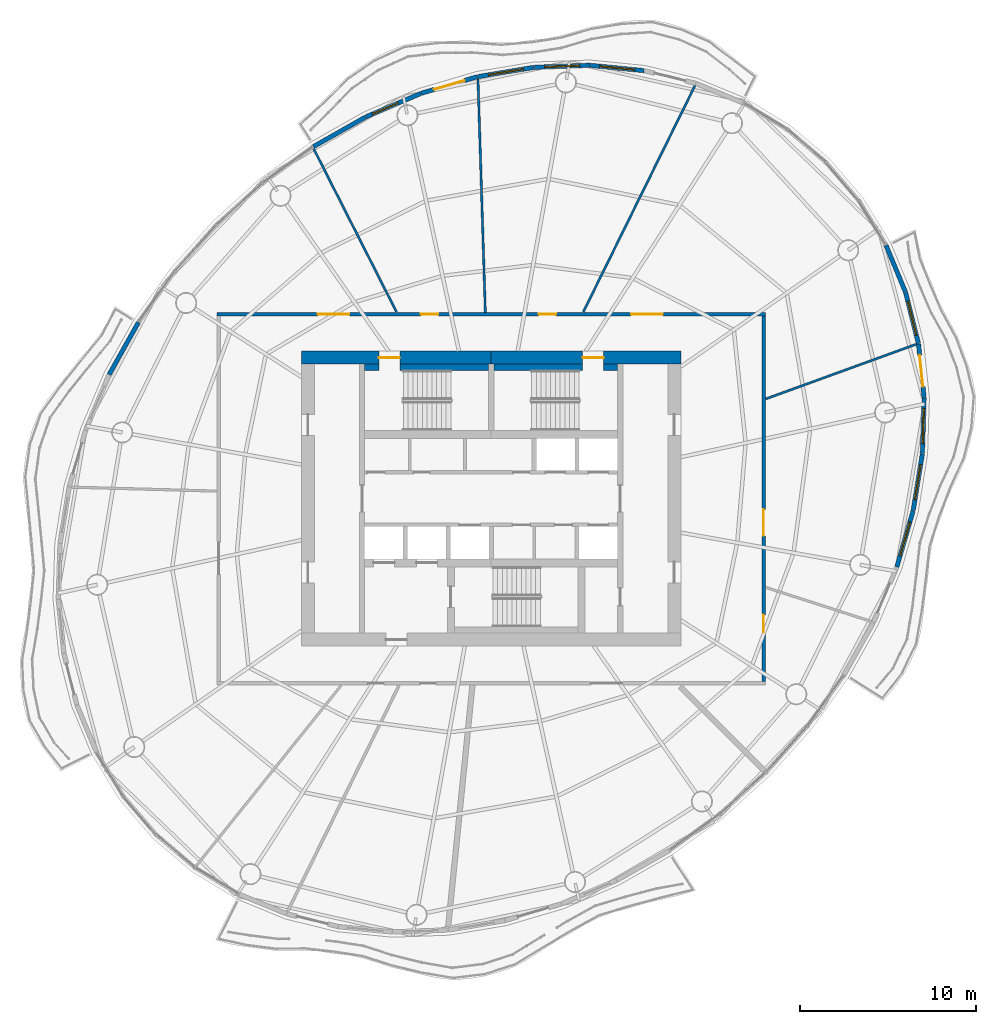
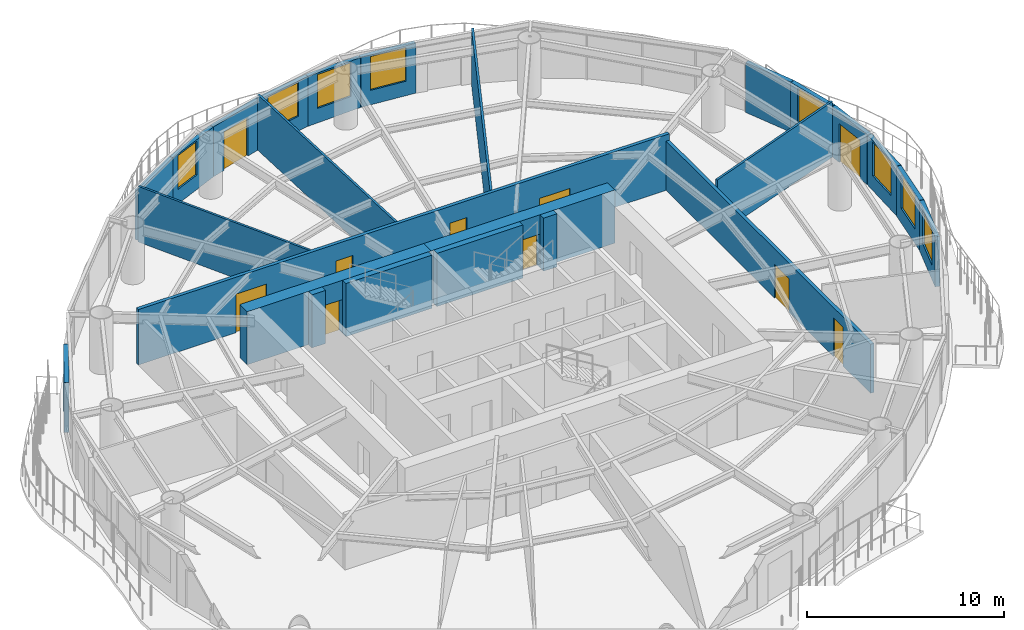
# One storey, part 10 of 14: 25 walls, 10 doors, 8 windows, 18 openings.
"""IFC4 building model written with IfcOpenShell, lengths in metres."""

from ifc_helpers import new_model, si_unit, direction, frame, frame_2d, origin, place, context, subcontext, project, spatial, rectangle, extrude, material, layer, layer_set, type_object, element, fill, save


model = new_model("IFC4")

# Units and contexts
model_context = context("Model", 3, precision=1e-05, world=origin(), true_north=direction((0.0, 1.0)))
body_context = subcontext(model_context, "Body", "Model", "MODEL_VIEW")
ifc_project = project(units=[si_unit("LENGTHUNIT", "METRE"), si_unit("AREAUNIT", "SQUARE_METRE"), si_unit("VOLUMEUNIT", "CUBIC_METRE"), si_unit("PLANEANGLEUNIT", "RADIAN"), si_unit("MASSUNIT", "GRAM", prefix="KILO")], contexts=[model_context])

# Site, building, storey
site_placement = place(None, origin())
site = spatial("IfcSite", under=ifc_project, at=site_placement, CompositionType="ELEMENT")
building_placement = place(site_placement, origin())
building = spatial("IfcBuilding", under=site, at=building_placement, Name="Vermilion Reach Broadcast Tower", CompositionType="ELEMENT")
storey_placement = place(building_placement, frame((0.0, 0.0, 213.699951171875)))
storey = spatial("IfcBuildingStorey", under=building, at=storey_placement, Name="L52", CompositionType="ELEMENT", Elevation=213.699951171875)

# Wall, opening, door
ifc_material_1 = material(Name="Concrete C60", Category="concrete")
ifc_layer_1 = layer(ifc_material_1, 0.75)
ifc_layer_set_1 = layer_set([ifc_layer_1], Name="Core outer wall 750 mm Concrete C60")
wall_type_1 = type_object("IfcWallType", Name="Core outer wall 750 mm Concrete C60", PredefinedType="SHEAR", material=ifc_layer_set_1)
wall_1_placement = place(storey_placement, frame((4.800048828125, 8.02490234375, 0.0), z_axis=(0.0, 0.0, 1.0), x_axis=(-1.0, 0.0, 0.0)))
wall_1 = element("IfcWall", 1, at=wall_1_placement, inside=storey, type_object=wall_type_1, Name="L52 core wall onE", PredefinedType="SHEAR", context=body_context, shape_type="SweptSolid", body=[
    extrude(rectangle(XDim=10.800048828125, YDim=0.75, at=frame_2d((5.39990234375, 0.0))), origin(), (0.0, 0.0, 1.0), 3.300048828125),
])
opening_1_placement = place(wall_1_placement, frame((4.39990234375, 0.0, 0.0)))
opening_1 = element("IfcOpeningElement", 2, at=opening_1_placement, cuts=wall_1, Name="Opening D01", PredefinedType="OPENING", context=body_context, shape_type="SweptSolid", body=[
    extrude(rectangle(XDim=1.199951171875, YDim=2.10009765625, at=frame_2d((0.60009765625, 1.050048828125))), frame((0.0, 0.385009765625, 0.0), z_axis=(0.0, -1.0, 0.0), x_axis=(1.0, 0.0, 0.0)), (0.0, 0.0, 1.0), 0.77001953125),
])
ifc_material_2 = material(Name="Painted steel fire door", Category="steel")
door_type_1 = type_object("IfcDoorType", Name="Stair door 1200 x 2100", OperationType="DOUBLE_DOOR_SINGLE_SWING", PredefinedType="NOTDEFINED", material=ifc_material_2)
door_1_placement = place(opening_1_placement, origin())
door_1 = element("IfcDoor", 3, at=door_1_placement, inside=storey, type_object=door_type_1, Name="L52 stair door ST2", OperationType="DOUBLE_DOOR_SINGLE_SWING", OverallHeight=2.10009765625, OverallWidth=1.199951171875, PredefinedType="NOTDEFINED", context=body_context, shape_type="SweptSolid", body=[
    extrude(rectangle(XDim=1.199951171875, YDim=2.10009765625, at=frame_2d((0.60009765625, 1.050048828125))), frame((0.0, 0.02490234375, 0.0), z_axis=(0.0, -1.0, 0.0), x_axis=(1.0, 0.0, 0.0)), (0.0, 0.0, 1.0), 0.050048828125),
])
fill(opening_1, door_1)

wall_2_placement = place(storey_placement, frame((-6.0, 8.02490234375, 0.0), z_axis=(0.0, 0.0, 1.0), x_axis=(-1.0, 0.0, 0.0)))
wall_2 = element("IfcWall", 4, at=wall_2_placement, inside=storey, type_object=wall_type_1, Name="L52 core wall onW", PredefinedType="SHEAR", context=body_context, shape_type="SweptSolid", body=[
    extrude(rectangle(XDim=10.800048828125, YDim=0.75, at=frame_2d((5.39990234375, 0.0))), origin(), (0.0, 0.0, 1.0), 3.300048828125),
])
opening_2_placement = place(wall_2_placement, frame((5.199951171875, 0.0, 0.0)))
opening_2 = element("IfcOpeningElement", 5, at=opening_2_placement, cuts=wall_2, Name="Opening D01", PredefinedType="OPENING", context=body_context, shape_type="SweptSolid", body=[
    extrude(rectangle(XDim=1.199951171875, YDim=2.10009765625, at=frame_2d((0.60009765625, 1.050048828125))), frame((0.0, 0.385009765625, 0.0), z_axis=(0.0, -1.0, 0.0), x_axis=(1.0, 0.0, 0.0)), (0.0, 0.0, 1.0), 0.77001953125),
])
door_2_placement = place(opening_2_placement, origin())
door_2 = element("IfcDoor", 6, at=door_2_placement, inside=storey, type_object=door_type_1, Name="L52 stair door ST1", OperationType="DOUBLE_DOOR_SINGLE_SWING", OverallHeight=2.10009765625, OverallWidth=1.199951171875, PredefinedType="NOTDEFINED", context=body_context, shape_type="SweptSolid", body=[
    extrude(rectangle(XDim=1.199951171875, YDim=2.10009765625, at=frame_2d((0.60009765625, 1.050048828125))), frame((0.0, 0.02490234375, 0.0), z_axis=(0.0, -1.0, 0.0), x_axis=(1.0, 0.0, 0.0)), (0.0, 0.0, 1.0), 0.050048828125),
])
fill(opening_2, door_2)

# Walls
ifc_material_3 = material(Name="Concrete C60", Category="concrete")
ifc_layer_2 = layer(ifc_material_3, 0.35009765625)
ifc_layer_set_2 = layer_set([ifc_layer_2], Name="Core stair wall 350 mm Concrete C60")
wall_type_2 = type_object("IfcWallType", Name="Core stair wall 350 mm Concrete C60", PredefinedType="SHEAR", material=ifc_layer_set_2)
wall_3_placement = place(storey_placement, frame((-13.199951171875, 7.47509765625, 0.0), z_axis=(0.0, 0.0, 1.0), x_axis=(1.0, 0.0, 0.0)))
element("IfcWall", 7, at=wall_3_placement, inside=storey, type_object=wall_type_2, Name="L52 core wall l1a", PredefinedType="SHEAR", context=body_context, shape_type="SweptSolid", body=[
    extrude(rectangle(XDim=0.800048828125, YDim=0.35009765625, at=frame_2d((0.39990234375, 0.0))), origin(), (0.0, 0.0, 1.0), 3.300048828125),
])
for number, where, z_axis, x_axis, name in (
    (8, (-11.199951171875, 7.47509765625, 0.0), (0.0, 0.0, 1.0), (1.0, 0.0, 0.0), "L52 core wall l1b"),
    (9, (-5.85009765625, 7.47509765625, 0.0), (0.0, 0.0, 1.0), (1.0, 0.0, 0.0), "L52 core wall l2a"),
):
    element("IfcWall", number, at=place(storey_placement, frame(where, z_axis=z_axis, x_axis=x_axis)), inside=storey, type_object=wall_type_2, Name=name, PredefinedType="SHEAR", context=body_context, shape_type="SweptSolid", body=[
        extrude(rectangle(XDim=5.050048828125, YDim=0.35009765625, at=frame_2d((2.52490234375, 0.0))), origin(), (0.0, 0.0, 1.0), 3.300048828125),
    ])
wall_4_placement = place(storey_placement, frame((0.39990234375, 7.47509765625, 0.0), z_axis=(0.0, 0.0, 1.0), x_axis=(1.0, 0.0, 0.0)))
element("IfcWall", 10, at=wall_4_placement, inside=storey, type_object=wall_type_2, Name="L52 core wall l2b", PredefinedType="SHEAR", context=body_context, shape_type="SweptSolid", body=[
    extrude(rectangle(XDim=0.800048828125, YDim=0.35009765625, at=frame_2d((0.39990234375, 0.0))), origin(), (0.0, 0.0, 1.0), 3.300048828125),
])

# Wall, openings, doors
ifc_material_4 = material(Name="Fire-rated gypsum board partition")
ifc_layer_3 = layer(ifc_material_4, 0.199951171875)
ifc_layer_set_3 = layer_set([ifc_layer_3], Name="Corridor wall 200 fire-rated")
wall_type_3 = type_object("IfcWallType", Name="Corridor wall 200 fire-rated", PredefinedType="PARTITIONING", material=ifc_layer_set_3)
wall_5_placement = place(storey_placement, frame((-21.60009765625, 10.5, 0.0), z_axis=(0.0, 0.0, 1.0), x_axis=(1.0, 0.0, 0.0)))
wall_5 = element("IfcWall", 11, at=wall_5_placement, inside=storey, type_object=wall_type_3, Name="Corridor wall 52.N", PredefinedType="PARTITIONING", context=body_context, shape_type="SweptSolid", body=[
    extrude(rectangle(XDim=31.2001953125, YDim=0.199951171875, at=frame_2d((15.60009765625, 0.0))), origin(), (0.0, 0.0, 1.0), 3.449951171875),
])
opening_3_placement = place(wall_5_placement, frame((18.295654296875, 0.0, 0.0)))
opening_3 = element("IfcOpeningElement", 12, at=opening_3_placement, cuts=wall_5, Name="Opening D23", PredefinedType="OPENING", context=body_context, shape_type="SweptSolid", body=[
    extrude(rectangle(XDim=1.0, YDim=2.39990234375, at=frame_2d((0.5, 1.199951171875))), frame((0.0, 0.10986328125, 0.0), z_axis=(0.0, -1.0, 0.0), x_axis=(1.0, 0.0, 0.0)), (0.0, 0.0, 1.0), 0.219970703125),
])
opening_4_placement = place(wall_5_placement, frame((11.599609375, 0.0, 0.0)))
opening_4 = element("IfcOpeningElement", 13, at=opening_4_placement, cuts=wall_5, Name="Opening D23", PredefinedType="OPENING", context=body_context, shape_type="SweptSolid", body=[
    extrude(rectangle(XDim=1.0, YDim=2.39990234375, at=frame_2d((0.5, 1.199951171875))), frame((0.0, 0.10986328125, 0.0), z_axis=(0.0, -1.0, 0.0), x_axis=(1.0, 0.0, 0.0)), (0.0, 0.0, 1.0), 0.219970703125),
])
opening_5_placement = place(wall_5_placement, frame((5.72998046875, 0.0, 0.0)))
opening_5 = element("IfcOpeningElement", 14, at=opening_5_placement, cuts=wall_5, Name="Opening D27", PredefinedType="OPENING", context=body_context, shape_type="SweptSolid", body=[
    extrude(rectangle(XDim=1.800048828125, YDim=2.39990234375, at=frame_2d((0.89990234375, 1.199951171875))), frame((0.0, 0.10986328125, 0.0), z_axis=(0.0, -1.0, 0.0), x_axis=(1.0, 0.0, 0.0)), (0.0, 0.0, 1.0), 0.219970703125),
])
opening_6_placement = place(wall_5_placement, frame((23.566162109375, 0.0, 0.0)))
opening_6 = element("IfcOpeningElement", 15, at=opening_6_placement, cuts=wall_5, Name="Opening D21", PredefinedType="OPENING", context=body_context, shape_type="SweptSolid", body=[
    extrude(rectangle(XDim=1.800048828125, YDim=2.10009765625, at=frame_2d((0.89990234375, 1.050048828125))), frame((0.0, 0.10986328125, 0.0), z_axis=(0.0, -1.0, 0.0), x_axis=(1.0, 0.0, 0.0)), (0.0, 0.0, 1.0), 0.219970703125),
])
ifc_material_5 = material(Name="Timber door leaf", Category="wood")
door_type_2 = type_object("IfcDoorType", Name="Door pair 1800x2100", OperationType="NOTDEFINED", PredefinedType="DOOR", material=ifc_material_5)
door_3_placement = place(opening_6_placement, origin())
door_3 = element("IfcDoor", 16, at=door_3_placement, inside=storey, type_object=door_type_2, Name="Door 52.10", OperationType="DOUBLE_DOOR_SINGLE_SWING", OverallHeight=2.10009765625, OverallWidth=1.800048828125, PredefinedType="DOOR", context=body_context, shape_type="SweptSolid", body=[
    extrude(rectangle(XDim=1.800048828125, YDim=2.10009765625, at=frame_2d((0.89990234375, 1.050048828125))), frame((0.0, 0.02490234375, 0.0), z_axis=(0.0, -1.0, 0.0), x_axis=(1.0, 0.0, 0.0)), (0.0, 0.0, 1.0), 0.050048828125),
])
fill(opening_6, door_3)
ifc_material_6 = material(Name="Acoustic timber door leaf", Category="wood")
door_type_3 = type_object("IfcDoorType", Name="Door pair 1800x2400", OperationType="NOTDEFINED", PredefinedType="DOOR", material=ifc_material_6)
door_4_placement = place(opening_5_placement, origin())
door_4 = element("IfcDoor", 17, at=door_4_placement, inside=storey, type_object=door_type_3, Name="Door 52.03", OperationType="DOUBLE_DOOR_SINGLE_SWING", OverallHeight=2.39990234375, OverallWidth=1.800048828125, PredefinedType="DOOR", context=body_context, shape_type="SweptSolid", body=[
    extrude(rectangle(XDim=1.800048828125, YDim=2.39990234375, at=frame_2d((0.89990234375, 1.199951171875))), frame((0.0, 0.02490234375, 0.0), z_axis=(0.0, -1.0, 0.0), x_axis=(1.0, 0.0, 0.0)), (0.0, 0.0, 1.0), 0.050048828125),
])
fill(opening_5, door_4)
ifc_material_7 = material(Name="Veneered timber door leaf", Category="wood")
door_type_4 = type_object("IfcDoorType", Name="Door single 1000x2400", OperationType="NOTDEFINED", PredefinedType="DOOR", material=ifc_material_7)
door_5_placement = place(opening_3_placement, origin())
door_5 = element("IfcDoor", 18, at=door_5_placement, inside=storey, type_object=door_type_4, Name="Door 52.01", OperationType="SINGLE_SWING_RIGHT", OverallHeight=2.39990234375, OverallWidth=1.0, PredefinedType="DOOR", context=body_context, shape_type="SweptSolid", body=[
    extrude(rectangle(XDim=1.0, YDim=2.39990234375, at=frame_2d((0.5, 1.199951171875))), frame((0.0, 0.02490234375, 0.0), z_axis=(0.0, -1.0, 0.0), x_axis=(1.0, 0.0, 0.0)), (0.0, 0.0, 1.0), 0.050048828125),
])
fill(opening_3, door_5)
door_6_placement = place(opening_4_placement, origin())
door_6 = element("IfcDoor", 19, at=door_6_placement, inside=storey, type_object=door_type_4, Name="Door 52.02", OperationType="SINGLE_SWING_LEFT", OverallHeight=2.39990234375, OverallWidth=1.0, PredefinedType="DOOR", context=body_context, shape_type="SweptSolid", body=[
    extrude(rectangle(XDim=1.0, YDim=2.39990234375, at=frame_2d((0.5, 1.199951171875))), frame((0.0, 0.02490234375, 0.0), z_axis=(0.0, -1.0, 0.0), x_axis=(1.0, 0.0, 0.0)), (0.0, 0.0, 1.0), 0.050048828125),
])
fill(opening_4, door_6)

# Walls
ifc_material_8 = material(Name="Fire-rated plasterboard on steel stud", Category="steel")
ifc_layer_4 = layer(ifc_material_8, 0.125)
ifc_layer_set_4 = layer_set([ifc_layer_4], Name="Partition 125 fire-rated stud")
wall_type_4 = type_object("IfcWallType", Name="Partition 125 fire-rated stud", PredefinedType="PARTITIONING", material=ifc_layer_set_4)
wall_6_placement = place(storey_placement, frame((5.6025390625, 23.515380859375, 0.0), z_axis=(0.0, 0.0, 1.0), x_axis=(-0.442477794817, -0.896779460678, 0.0)))
element("IfcWall", 20, at=wall_6_placement, inside=storey, type_object=wall_type_4, Name="Partition 52.01", PredefinedType="PARTITIONING", context=body_context, shape_type="SweptSolid", body=[
    extrude(rectangle(XDim=14.37109375, YDim=0.125, at=frame_2d((7.185546875, 0.0))), origin(), (0.0, 0.0, 1.0), 3.449951171875),
])
wall_7_placement = place(storey_placement, frame((-6.75390625, 23.892333984375, 0.0), z_axis=(0.0, 0.0, 1.0), x_axis=(0.031543712499, -0.999502373285, 0.0)))
element("IfcWall", 21, at=wall_7_placement, inside=storey, type_object=wall_type_4, Name="Partition 52.02", PredefinedType="PARTITIONING", context=body_context, shape_type="SweptSolid", body=[
    extrude(rectangle(XDim=13.296875, YDim=0.125, at=frame_2d((6.6484375, 0.0))), origin(), (0.0, 0.0, 1.0), 3.449951171875),
])
wall_8_placement = place(storey_placement, frame((-16.098876953125, 19.902587890625, 0.0), z_axis=(0.0, 0.0, 1.0), x_axis=(0.452483019346, -0.891773018881, 0.0)))
element("IfcWall", 22, at=wall_8_placement, inside=storey, type_object=wall_type_4, Name="Partition 52.03", PredefinedType="PARTITIONING", context=body_context, shape_type="SweptSolid", body=[
    extrude(rectangle(XDim=10.39990234375, YDim=0.125, at=frame_2d((5.199951171875, 0.0))), origin(), (0.0, 0.0, 1.0), 3.449951171875),
])
wall_9_placement = place(storey_placement, frame((18.197021484375, 8.7890625, 0.0), z_axis=(0.0, 0.0, 1.0), x_axis=(-0.939914460754, -0.341410026896, 0.0)))
element("IfcWall", 23, at=wall_9_placement, inside=storey, type_object=wall_type_4, Name="Partition 52.10", PredefinedType="PARTITIONING", context=body_context, shape_type="SweptSolid", body=[
    extrude(rectangle(XDim=9.123779296875, YDim=0.125, at=frame_2d((4.56201171875, 0.0))), origin(), (0.0, 0.0, 1.0), 3.449951171875),
])

# Wall, opening, window
ifc_material_9 = material(Name="Terracotta rainscreen cladding", Category="masonry")
ifc_layer_5 = layer(ifc_material_9, 0.25)
ifc_layer_set_5 = layer_set([ifc_layer_5], Name="Terracotta rainscreen wall 250")
wall_type_5 = type_object("IfcWallType", Name="Terracotta rainscreen wall 250", PredefinedType="SOLIDWALL", material=ifc_layer_set_5)
wall_10_placement = place(storey_placement, frame((2.69580078125, 24.35791015625, 0.0), z_axis=(0.0, 0.0, 1.0), x_axis=(-0.995081139356, 0.099063242917, 0.0)))
wall_10 = element("IfcWall", 24, at=wall_10_placement, inside=storey, type_object=wall_type_5, Name="External wall L52 04", PredefinedType="SOLIDWALL", context=body_context, shape_type="SweptSolid", body=[
    extrude(rectangle(XDim=3.0732421875, YDim=0.25, at=frame_2d((1.53662109375, 0.0))), origin(), (0.0, 0.0, 1.0), 3.10009765625),
])
opening_7_placement = place(wall_10_placement, frame((0.53662109375, 0.0, 0.89990234375)))
opening_7 = element("IfcOpeningElement", 25, at=opening_7_placement, cuts=wall_10, Name="Opening W03", PredefinedType="OPENING", context=body_context, shape_type="SweptSolid", body=[
    extrude(rectangle(XDim=2.0, YDim=2.10009765625, at=frame_2d((1.0, 1.050048828125))), frame((0.0, 0.135009765625, 0.0), z_axis=(0.0, -1.0, 0.0), x_axis=(1.0, 0.0, 0.0)), (0.0, 0.0, 1.0), 0.27001953125),
])
ifc_material_10 = material(Name="Low-e laminated clear glass in aluminium frame", Category="aluminium")
window_type_1 = type_object("IfcWindowType", Name="Punched window 2000 x 2100 sill 900", PartitioningType="SINGLE_PANEL", PredefinedType="WINDOW", material=ifc_material_10)
window_1_placement = place(opening_7_placement, origin())
window_1 = element("IfcWindow", 26, at=window_1_placement, inside=storey, type_object=window_type_1, Name="Window L52 04", OverallHeight=2.10009765625, OverallWidth=2.0, PartitioningType="SINGLE_PANEL", PredefinedType="WINDOW", context=body_context, shape_type="SweptSolid", body=[
    extrude(rectangle(XDim=2.0, YDim=2.10009765625, at=frame_2d((1.0, 1.050048828125))), frame((0.0, 0.030029296875, 0.0), z_axis=(0.0, -1.0, 0.0), x_axis=(1.0, 0.0, 0.0)), (0.0, 0.0, 1.0), 0.06005859375),
])
fill(opening_7, window_1)

wall_11_placement = place(storey_placement, frame((-0.38720703125, 24.663330078125, 0.0), z_axis=(0.0, 0.0, 1.0), x_axis=(-0.999351383862, -0.036011270096, 0.0)))
wall_11 = element("IfcWall", 27, at=wall_11_placement, inside=storey, type_object=wall_type_5, Name="External wall L52 05", PredefinedType="SOLIDWALL", context=body_context, shape_type="SweptSolid", body=[
    extrude(rectangle(XDim=3.1591796875, YDim=0.25, at=frame_2d((1.57958984375, 0.0))), origin(), (0.0, 0.0, 1.0), 3.10009765625),
])
opening_8_placement = place(wall_11_placement, frame((0.57958984375, 0.0, 0.89990234375)))
opening_8 = element("IfcOpeningElement", 28, at=opening_8_placement, cuts=wall_11, Name="Opening W03", PredefinedType="OPENING", context=body_context, shape_type="SweptSolid", body=[
    extrude(rectangle(XDim=2.0, YDim=2.10009765625, at=frame_2d((1.0, 1.050048828125))), frame((0.0, 0.135009765625, 0.0), z_axis=(0.0, -1.0, 0.0), x_axis=(1.0, 0.0, 0.0)), (0.0, 0.0, 1.0), 0.27001953125),
])
window_2_placement = place(opening_8_placement, origin())
window_2 = element("IfcWindow", 29, at=window_2_placement, inside=storey, type_object=window_type_1, Name="Window L52 05", OverallHeight=2.10009765625, OverallWidth=2.0, PartitioningType="SINGLE_PANEL", PredefinedType="WINDOW", context=body_context, shape_type="SweptSolid", body=[
    extrude(rectangle(XDim=2.0, YDim=2.10009765625, at=frame_2d((1.0, 1.050048828125))), frame((0.0, 0.030029296875, 0.0), z_axis=(0.0, -1.0, 0.0), x_axis=(1.0, 0.0, 0.0)), (0.0, 0.0, 1.0), 0.06005859375),
])
fill(opening_8, window_2)

wall_12_placement = place(storey_placement, frame((-3.568359375, 24.547119140625, 0.0), z_axis=(0.0, 0.0, 1.0), x_axis=(-0.986515622096, -0.163667123641, 0.0)))
wall_12 = element("IfcWall", 30, at=wall_12_placement, inside=storey, type_object=wall_type_5, Name="External wall L52 06", PredefinedType="SOLIDWALL", context=body_context, shape_type="SweptSolid", body=[
    extrude(rectangle(XDim=3.245849609375, YDim=0.25, at=frame_2d((1.623046875, 0.0))), origin(), (0.0, 0.0, 1.0), 3.10009765625),
])
opening_9_placement = place(wall_12_placement, frame((0.623046875, 0.0, 0.89990234375)))
opening_9 = element("IfcOpeningElement", 31, at=opening_9_placement, cuts=wall_12, Name="Opening W03", PredefinedType="OPENING", context=body_context, shape_type="SweptSolid", body=[
    extrude(rectangle(XDim=2.0, YDim=2.10009765625, at=frame_2d((1.0, 1.050048828125))), frame((0.0, 0.135009765625, 0.0), z_axis=(0.0, -1.0, 0.0), x_axis=(1.0, 0.0, 0.0)), (0.0, 0.0, 1.0), 0.27001953125),
])
window_3_placement = place(opening_9_placement, origin())
window_3 = element("IfcWindow", 32, at=window_3_placement, inside=storey, type_object=window_type_1, Name="Window L52 06", OverallHeight=2.10009765625, OverallWidth=2.0, PartitioningType="SINGLE_PANEL", PredefinedType="WINDOW", context=body_context, shape_type="SweptSolid", body=[
    extrude(rectangle(XDim=2.0, YDim=2.10009765625, at=frame_2d((1.0, 1.050048828125))), frame((0.0, 0.030029296875, 0.0), z_axis=(0.0, -1.0, 0.0), x_axis=(1.0, 0.0, 0.0)), (0.0, 0.0, 1.0), 0.06005859375),
])
fill(opening_9, window_3)

# Wall, opening, door
wall_13_placement = place(storey_placement, frame((-6.793212890625, 24.0107421875, 0.0), z_axis=(0.0, 0.0, 1.0), x_axis=(-0.959226347216, -0.282639018548, 0.0)))
wall_13 = element("IfcWall", 33, at=wall_13_placement, inside=storey, type_object=wall_type_5, Name="External wall L52 07", PredefinedType="SOLIDWALL", context=body_context, shape_type="SweptSolid", body=[
    extrude(rectangle(XDim=3.327392578125, YDim=0.25, at=frame_2d((1.66357421875, 0.0))), origin(), (0.0, 0.0, 1.0), 3.10009765625),
])
opening_10_placement = place(wall_13_placement, frame((0.763916015625, 0.0, 0.0)))
opening_10 = element("IfcOpeningElement", 34, at=opening_10_placement, cuts=wall_13, Name="Opening D70", PredefinedType="OPENING", context=body_context, shape_type="SweptSolid", body=[
    extrude(rectangle(XDim=1.800048828125, YDim=2.39990234375, at=frame_2d((0.89990234375, 1.199951171875))), frame((0.0, 0.135009765625, 0.0), z_axis=(0.0, -1.0, 0.0), x_axis=(1.0, 0.0, 0.0)), (0.0, 0.0, 1.0), 0.27001953125),
])
ifc_material_11 = material(Name="Low-e laminated clear glass in aluminium frame", Category="aluminium")
door_type_5 = type_object("IfcDoorType", Name="Balcony sliding door 1800 x 2400", OperationType="DOUBLE_DOOR_SLIDING", PredefinedType="DOOR", material=ifc_material_11)
door_7_placement = place(opening_10_placement, origin())
door_7 = element("IfcDoor", 35, at=door_7_placement, inside=storey, type_object=door_type_5, Name="Balcony door L52 run 02", OperationType="DOUBLE_DOOR_SLIDING", OverallHeight=2.39990234375, OverallWidth=1.800048828125, PredefinedType="DOOR", context=body_context, shape_type="SweptSolid", body=[
    extrude(rectangle(XDim=1.800048828125, YDim=2.39990234375, at=frame_2d((0.89990234375, 1.199951171875))), frame((0.0, 0.02490234375, 0.0), z_axis=(0.0, -1.0, 0.0), x_axis=(1.0, 0.0, 0.0)), (0.0, 0.0, 1.0), 0.050048828125),
])
fill(opening_10, door_7)

# Wall, opening, window
wall_14_placement = place(storey_placement, frame((-10.006103515625, 23.062744140625, 0.0), z_axis=(0.0, 0.0, 1.0), x_axis=(-0.919690332373, -0.392644486195, 0.0)))
wall_14 = element("IfcWall", 36, at=wall_14_placement, inside=storey, type_object=wall_type_5, Name="External wall L52 08", PredefinedType="SOLIDWALL", context=body_context, shape_type="SweptSolid", body=[
    extrude(rectangle(XDim=3.398681640625, YDim=0.25, at=frame_2d((1.69921875, 0.0))), origin(), (0.0, 0.0, 1.0), 3.10009765625),
])
opening_11_placement = place(wall_14_placement, frame((1.39892578125, 0.0, 0.89990234375)))
opening_11 = element("IfcOpeningElement", 37, at=opening_11_placement, cuts=wall_14, Name="Opening W04", PredefinedType="OPENING", context=body_context, shape_type="SweptSolid", body=[
    extrude(rectangle(XDim=1.60009765625, YDim=2.10009765625, at=frame_2d((0.800048828125, 1.050048828125))), frame((0.0, 0.135009765625, 0.0), z_axis=(0.0, -1.0, 0.0), x_axis=(1.0, 0.0, 0.0)), (0.0, 0.0, 1.0), 0.27001953125),
])
ifc_material_12 = material(Name="Low-e laminated clear glass in aluminium frame", Category="aluminium")
window_type_2 = type_object("IfcWindowType", Name="Punched window 1600 x 2100 sill 900", PartitioningType="SINGLE_PANEL", PredefinedType="WINDOW", material=ifc_material_12)
window_4_placement = place(opening_11_placement, origin())
window_4 = element("IfcWindow", 38, at=window_4_placement, inside=storey, type_object=window_type_2, Name="Window L52 08", OverallHeight=2.10009765625, OverallWidth=1.60009765625, PartitioningType="SINGLE_PANEL", PredefinedType="WINDOW", context=body_context, shape_type="SweptSolid", body=[
    extrude(rectangle(XDim=1.60009765625, YDim=2.10009765625, at=frame_2d((0.800048828125, 1.050048828125))), frame((0.0, 0.030029296875, 0.0), z_axis=(0.0, -1.0, 0.0), x_axis=(1.0, 0.0, 0.0)), (0.0, 0.0, 1.0), 0.06005859375),
])
fill(opening_11, window_4)

# Walls
for number, where, z_axis, x_axis, name in (
    (39, (-13.151611328125, 21.718505859375, 0.0), (0.0, 0.0, 1.0), (-0.869705841478, -0.493570409666, 0.0), "External wall L52 09"),
    (40, (-26.076904296875, 10.03466796875, 0.0), (0.0, 0.0, 1.0), (-0.489914644591, -0.871770406136, 0.0), "External wall L52 14"),
):
    element("IfcWall", number, at=place(storey_placement, frame(where, z_axis=z_axis, x_axis=x_axis)), inside=storey, type_object=wall_type_5, Name=name, PredefinedType="SOLIDWALL", context=body_context, shape_type="SweptSolid", body=[
        extrude(rectangle(XDim=3.41162109375, YDim=0.25, at=frame_2d((1.705810546875, 0.0))), origin(), (0.0, 0.0, 1.0), 3.10009765625),
    ])

# Wall, opening, window
wall_15_placement = place(storey_placement, frame((17.0869140625, -3.88818359375, 0.0), z_axis=(0.0, 0.0, 1.0), x_axis=(0.278604991916, 0.960405778033, 0.0)))
wall_15 = element("IfcWall", 41, at=wall_15_placement, inside=storey, type_object=wall_type_5, Name="External wall L52 40", PredefinedType="SOLIDWALL", context=body_context, shape_type="SweptSolid", body=[
    extrude(rectangle(XDim=3.327392578125, YDim=0.25, at=frame_2d((1.66357421875, 0.0))), origin(), (0.0, 0.0, 1.0), 3.10009765625),
])
opening_12_placement = place(wall_15_placement, frame((0.66357421875, 0.0, 0.89990234375)))
opening_12 = element("IfcOpeningElement", 42, at=opening_12_placement, cuts=wall_15, Name="Opening W03", PredefinedType="OPENING", context=body_context, shape_type="SweptSolid", body=[
    extrude(rectangle(XDim=2.0, YDim=2.10009765625, at=frame_2d((1.0, 1.050048828125))), frame((0.0, 0.135009765625, 0.0), z_axis=(0.0, -1.0, 0.0), x_axis=(1.0, 0.0, 0.0)), (0.0, 0.0, 1.0), 0.27001953125),
])
window_5_placement = place(opening_12_placement, origin())
window_5 = element("IfcWindow", 43, at=window_5_placement, inside=storey, type_object=window_type_1, Name="Window L52 40", OverallHeight=2.10009765625, OverallWidth=2.0, PartitioningType="SINGLE_PANEL", PredefinedType="WINDOW", context=body_context, shape_type="SweptSolid", body=[
    extrude(rectangle(XDim=2.0, YDim=2.10009765625, at=frame_2d((1.0, 1.050048828125))), frame((0.0, 0.030029296875, 0.0), z_axis=(0.0, -1.0, 0.0), x_axis=(1.0, 0.0, 0.0)), (0.0, 0.0, 1.0), 0.06005859375),
])
fill(opening_12, window_5)

wall_16_placement = place(storey_placement, frame((18.01904296875, -0.669921875, 0.0), z_axis=(0.0, 0.0, 1.0), x_axis=(0.159457089841, 0.987204860452, 0.0)))
wall_16 = element("IfcWall", 44, at=wall_16_placement, inside=storey, type_object=wall_type_5, Name="External wall L52 41", PredefinedType="SOLIDWALL", context=body_context, shape_type="SweptSolid", body=[
    extrude(rectangle(XDim=3.245849609375, YDim=0.25, at=frame_2d((1.623046875, 0.0))), origin(), (0.0, 0.0, 1.0), 3.10009765625),
])
opening_13_placement = place(wall_16_placement, frame((0.623046875, 0.0, 0.89990234375)))
opening_13 = element("IfcOpeningElement", 45, at=opening_13_placement, cuts=wall_16, Name="Opening W03", PredefinedType="OPENING", context=body_context, shape_type="SweptSolid", body=[
    extrude(rectangle(XDim=2.0, YDim=2.10009765625, at=frame_2d((1.0, 1.050048828125))), frame((0.0, 0.135009765625, 0.0), z_axis=(0.0, -1.0, 0.0), x_axis=(1.0, 0.0, 0.0)), (0.0, 0.0, 1.0), 0.27001953125),
])
window_6_placement = place(opening_13_placement, origin())
window_6 = element("IfcWindow", 46, at=window_6_placement, inside=storey, type_object=window_type_1, Name="Window L52 41", OverallHeight=2.10009765625, OverallWidth=2.0, PartitioningType="SINGLE_PANEL", PredefinedType="WINDOW", context=body_context, shape_type="SweptSolid", body=[
    extrude(rectangle(XDim=2.0, YDim=2.10009765625, at=frame_2d((1.0, 1.050048828125))), frame((0.0, 0.030029296875, 0.0), z_axis=(0.0, -1.0, 0.0), x_axis=(1.0, 0.0, 0.0)), (0.0, 0.0, 1.0), 0.06005859375),
])
fill(opening_13, window_6)

wall_17_placement = place(storey_placement, frame((18.5390625, 2.558349609375, 0.0), z_axis=(0.0, 0.0, 1.0), x_axis=(0.031760681262, 0.999495502304, 0.0)))
wall_17 = element("IfcWall", 47, at=wall_17_placement, inside=storey, type_object=wall_type_5, Name="External wall L52 42", PredefinedType="SOLIDWALL", context=body_context, shape_type="SweptSolid", body=[
    extrude(rectangle(XDim=3.159423828125, YDim=0.25, at=frame_2d((1.57958984375, 0.0))), origin(), (0.0, 0.0, 1.0), 3.10009765625),
])
opening_14_placement = place(wall_17_placement, frame((0.57958984375, 0.0, 0.89990234375)))
opening_14 = element("IfcOpeningElement", 48, at=opening_14_placement, cuts=wall_17, Name="Opening W03", PredefinedType="OPENING", context=body_context, shape_type="SweptSolid", body=[
    extrude(rectangle(XDim=2.0, YDim=2.10009765625, at=frame_2d((1.0, 1.050048828125))), frame((0.0, 0.135009765625, 0.0), z_axis=(0.0, -1.0, 0.0), x_axis=(1.0, 0.0, 0.0)), (0.0, 0.0, 1.0), 0.27001953125),
])
window_7_placement = place(opening_14_placement, origin())
window_7 = element("IfcWindow", 49, at=window_7_placement, inside=storey, type_object=window_type_1, Name="Window L52 42", OverallHeight=2.10009765625, OverallWidth=2.0, PartitioningType="SINGLE_PANEL", PredefinedType="WINDOW", context=body_context, shape_type="SweptSolid", body=[
    extrude(rectangle(XDim=2.0, YDim=2.10009765625, at=frame_2d((1.0, 1.050048828125))), frame((0.0, 0.030029296875, 0.0), z_axis=(0.0, -1.0, 0.0), x_axis=(1.0, 0.0, 0.0)), (0.0, 0.0, 1.0), 0.06005859375),
])
fill(opening_14, window_7)

# Wall, opening, door
wall_18_placement = place(storey_placement, frame((18.638671875, 5.740966796875, 0.0), z_axis=(0.0, 0.0, 1.0), x_axis=(-0.10327045025, 0.994653313524, 0.0)))
wall_18 = element("IfcWall", 50, at=wall_18_placement, inside=storey, type_object=wall_type_5, Name="External wall L52 43", PredefinedType="SOLIDWALL", context=body_context, shape_type="SweptSolid", body=[
    extrude(rectangle(XDim=3.0732421875, YDim=0.25, at=frame_2d((1.53662109375, 0.0))), origin(), (0.0, 0.0, 1.0), 3.10009765625),
])
opening_15_placement = place(wall_18_placement, frame((0.636962890625, 0.0, 0.0)))
opening_15 = element("IfcOpeningElement", 51, at=opening_15_placement, cuts=wall_18, Name="Opening D70", PredefinedType="OPENING", context=body_context, shape_type="SweptSolid", body=[
    extrude(rectangle(XDim=1.800048828125, YDim=2.39990234375, at=frame_2d((0.89990234375, 1.199951171875))), frame((0.0, 0.135009765625, 0.0), z_axis=(0.0, -1.0, 0.0), x_axis=(1.0, 0.0, 0.0)), (0.0, 0.0, 1.0), 0.27001953125),
])
door_8_placement = place(opening_15_placement, origin())
door_8 = element("IfcDoor", 52, at=door_8_placement, inside=storey, type_object=door_type_5, Name="Balcony door L52 run 11", OperationType="DOUBLE_DOOR_SLIDING", OverallHeight=2.39990234375, OverallWidth=1.800048828125, PredefinedType="DOOR", context=body_context, shape_type="SweptSolid", body=[
    extrude(rectangle(XDim=1.800048828125, YDim=2.39990234375, at=frame_2d((0.89990234375, 1.199951171875))), frame((0.0, 0.02490234375, 0.0), z_axis=(0.0, -1.0, 0.0), x_axis=(1.0, 0.0, 0.0)), (0.0, 0.0, 1.0), 0.050048828125),
])
fill(opening_15, door_8)

# Wall, opening, window
wall_19_placement = place(storey_placement, frame((18.31689453125, 8.8232421875, 0.0), z_axis=(0.0, 0.0, 1.0), x_axis=(-0.243245471753, 0.96996476249, 0.0)))
wall_19 = element("IfcWall", 53, at=wall_19_placement, inside=storey, type_object=wall_type_5, Name="External wall L52 44", PredefinedType="SOLIDWALL", context=body_context, shape_type="SweptSolid", body=[
    extrude(rectangle(XDim=2.993896484375, YDim=0.25, at=frame_2d((1.4970703125, 0.0))), origin(), (0.0, 0.0, 1.0), 3.10009765625),
])
opening_16_placement = place(wall_19_placement, frame((0.4970703125, 0.0, 0.89990234375)))
opening_16 = element("IfcOpeningElement", 54, at=opening_16_placement, cuts=wall_19, Name="Opening W03", PredefinedType="OPENING", context=body_context, shape_type="SweptSolid", body=[
    extrude(rectangle(XDim=2.0, YDim=2.10009765625, at=frame_2d((1.0, 1.050048828125))), frame((0.0, 0.135009765625, 0.0), z_axis=(0.0, -1.0, 0.0), x_axis=(1.0, 0.0, 0.0)), (0.0, 0.0, 1.0), 0.27001953125),
])
window_8_placement = place(opening_16_placement, origin())
window_8 = element("IfcWindow", 55, at=window_8_placement, inside=storey, type_object=window_type_1, Name="Window L52 44", OverallHeight=2.10009765625, OverallWidth=2.0, PartitioningType="SINGLE_PANEL", PredefinedType="WINDOW", context=body_context, shape_type="SweptSolid", body=[
    extrude(rectangle(XDim=2.0, YDim=2.10009765625, at=frame_2d((1.0, 1.050048828125))), frame((0.0, 0.030029296875, 0.0), z_axis=(0.0, -1.0, 0.0), x_axis=(1.0, 0.0, 0.0)), (0.0, 0.0, 1.0), 0.06005859375),
])
fill(opening_16, window_8)

# Wall
wall_20_placement = place(storey_placement, frame((17.580078125, 11.75244140625, 0.0), z_axis=(0.0, 0.0, 1.0), x_axis=(-0.384537301957, 0.923109453642, 0.0)))
element("IfcWall", 56, at=wall_20_placement, inside=storey, type_object=wall_type_5, Name="External wall L52 45", PredefinedType="SOLIDWALL", context=body_context, shape_type="SweptSolid", body=[
    extrude(rectangle(XDim=2.88623046875, YDim=0.25, at=frame_2d((1.443115234375, 0.0))), origin(), (0.0, 0.0, 1.0), 3.10009765625),
])

# Wall, openings, doors
ifc_material_13 = material(Name="Fire-rated gypsum board partition")
ifc_layer_6 = layer(ifc_material_13, 0.199951171875)
ifc_layer_set_6 = layer_set([ifc_layer_6], Name="Under girder: Corridor wall 200 fire-rated")
wall_type_6 = type_object("IfcWallType", Name="Under girder: Corridor wall 200 fire-rated", PredefinedType="PARTITIONING", material=ifc_layer_set_6)
wall_21_placement = place(storey_placement, frame((9.5, 10.39990234375, 0.0), z_axis=(0.0, 0.0, 1.0), x_axis=(0.0, -1.0, 0.0)))
wall_21 = element("IfcWall", 57, at=wall_21_placement, inside=storey, type_object=wall_type_6, Name="Corridor wall 52.E", PredefinedType="PARTITIONING", context=body_context, shape_type="SweptSolid", body=[
    extrude(rectangle(XDim=20.7998046875, YDim=0.199951171875, at=frame_2d((10.39990234375, 0.0))), origin(), (0.0, 0.0, 1.0), 3.050048828125),
])
opening_17_placement = place(wall_21_placement, frame((17.010009765625, 0.0, 0.0)))
opening_17 = element("IfcOpeningElement", 58, at=opening_17_placement, cuts=wall_21, Name="Opening D23", PredefinedType="OPENING", context=body_context, shape_type="SweptSolid", body=[
    extrude(rectangle(XDim=1.0, YDim=2.39990234375, at=frame_2d((0.5, 1.199951171875))), frame((0.0, 0.10986328125, 0.0), z_axis=(0.0, -1.0, 0.0), x_axis=(1.0, 0.0, 0.0)), (0.0, 0.0, 1.0), 0.219970703125),
])
opening_18_placement = place(wall_21_placement, frame((11.01513671875, 0.0, 0.0)))
opening_18 = element("IfcOpeningElement", 59, at=opening_18_placement, cuts=wall_21, Name="Opening D24", PredefinedType="OPENING", context=body_context, shape_type="SweptSolid", body=[
    extrude(rectangle(XDim=1.5, YDim=2.10009765625, at=frame_2d((0.75, 1.050048828125))), frame((0.0, 0.10986328125, 0.0), z_axis=(0.0, -1.0, 0.0), x_axis=(1.0, 0.0, 0.0)), (0.0, 0.0, 1.0), 0.219970703125),
])
ifc_material_14 = material(Name="Timber door leaf", Category="wood")
door_type_6 = type_object("IfcDoorType", Name="Door pair 1500x2100", OperationType="NOTDEFINED", PredefinedType="DOOR", material=ifc_material_14)
door_9_placement = place(opening_18_placement, origin())
door_9 = element("IfcDoor", 60, at=door_9_placement, inside=storey, type_object=door_type_6, Name="Door 52.09", OperationType="DOUBLE_DOOR_SINGLE_SWING", OverallHeight=2.10009765625, OverallWidth=1.5, PredefinedType="DOOR", context=body_context, shape_type="SweptSolid", body=[
    extrude(rectangle(XDim=1.5, YDim=2.10009765625, at=frame_2d((0.75, 1.050048828125))), frame((0.0, 0.02490234375, 0.0), z_axis=(0.0, -1.0, 0.0), x_axis=(1.0, 0.0, 0.0)), (0.0, 0.0, 1.0), 0.050048828125),
])
fill(opening_18, door_9)
door_10_placement = place(opening_17_placement, origin())
door_10 = element("IfcDoor", 61, at=door_10_placement, inside=storey, type_object=door_type_4, Name="Door 52.08", OperationType="SINGLE_SWING_LEFT", OverallHeight=2.39990234375, OverallWidth=1.0, PredefinedType="DOOR", context=body_context, shape_type="SweptSolid", body=[
    extrude(rectangle(XDim=1.0, YDim=2.39990234375, at=frame_2d((0.5, 1.199951171875))), frame((0.0, 0.02490234375, 0.0), z_axis=(0.0, -1.0, 0.0), x_axis=(1.0, 0.0, 0.0)), (0.0, 0.0, 1.0), 0.050048828125),
])
fill(opening_17, door_10)

save(model, "model.ifc")
